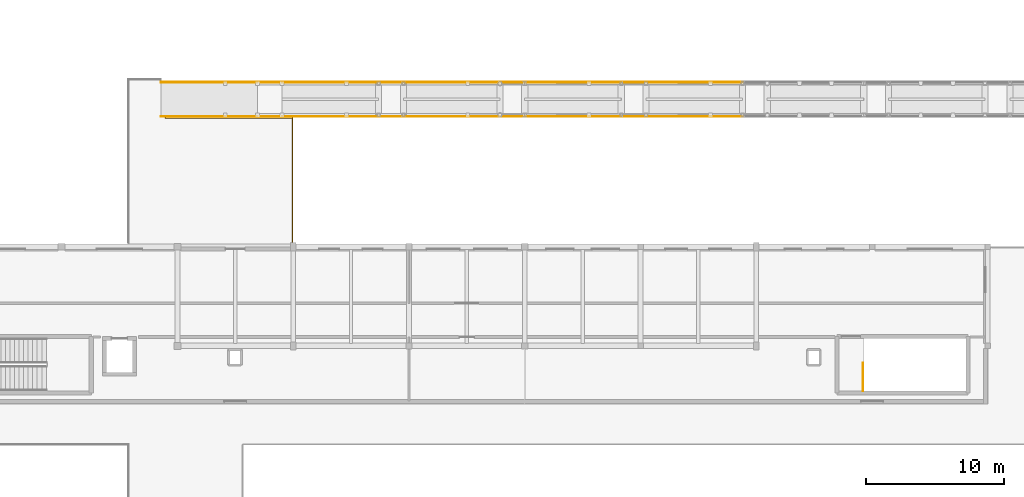
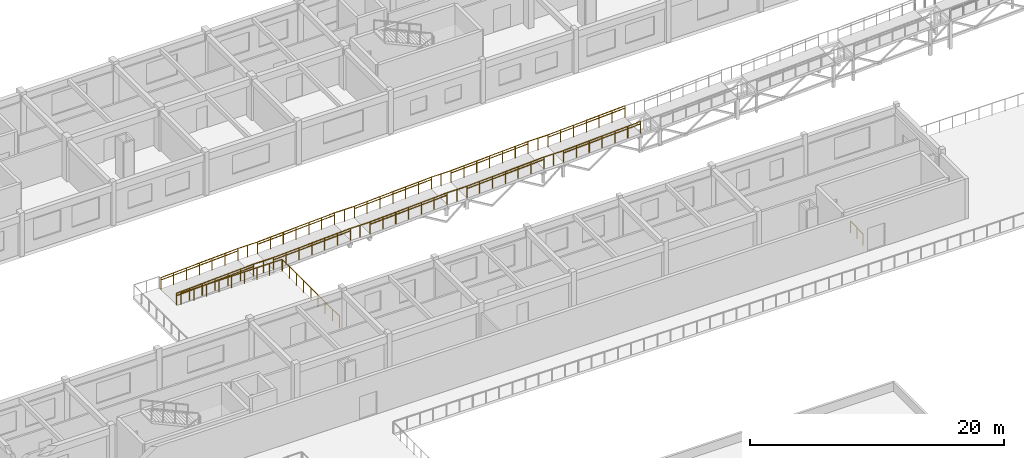
# One storey, part 36 of 41: 30 railings.
"""IFC4 building model written with IfcOpenShell, lengths in metres."""

import ifcopenshell
import ifcopenshell.guid

model = None  # the IFC model being written
_history = None  # IfcOwnerHistory: only IFC2X3 demands one
_inside = {}  # id of a spatial element -> (the spatial element, [elements in it])
_under = {}  # id of a project, library or spatial element -> (it, [spatial elements below it])
_declared = {}  # id of a project -> (the project, [libraries it declares])
_typed = {}  # id of a type object -> (the type object, [elements of that type])
_made_of = {}  # id of a material, layer set ... -> (it, [elements and type objects made of it])


def new_model(schema):
    """Start an empty IFC model of exactly this schema.

    Asked for "IFC4X3", IfcOpenShell would pick the latest addendum, in which some entities
    have other attributes; the version numbers below select the first issue.
    IFC2X3 requires an IfcOwnerHistory on every rooted entity: one is made here for all.
    """
    global model, _history
    if schema == "IFC4X3":
        model = ifcopenshell.file(schema_version=(4, 3, 0, 0))
    else:
        model = ifcopenshell.file(schema=schema)
    _inside.clear()
    _under.clear()
    _declared.clear()
    _typed.clear()
    _made_of.clear()
    _history = None
    if model.schema == "IFC2X3":
        org = make("IfcOrganization", Name="unknown")
        user = make(
            "IfcPersonAndOrganization",
            ThePerson=make("IfcPerson", FamilyName="unknown"),
            TheOrganization=org,
        )
        app = make(
            "IfcApplication",
            ApplicationDeveloper=org,
            Version="unknown",
            ApplicationFullName="unknown",
            ApplicationIdentifier="unknown",
        )
        _history = make(
            "IfcOwnerHistory",
            OwningUser=user,
            OwningApplication=app,
            ChangeAction="ADDED",
            CreationDate=0,
        )
    return model


def make(cls, **values):
    """One entity of the class cls with the attributes given. An attribute that is None is left unset."""
    return model.create_entity(
        cls, **{name: value for name, value in values.items() if value is not None}
    )


def rooted(cls, **values):
    """An entity with a GlobalId (a new one), such as an element, a storey or a relation."""
    return make(cls, GlobalId=ifcopenshell.guid.new(), OwnerHistory=_history, **values)


def si_unit(unit_type, name, prefix=None):
    """IfcSIUnit, for example si_unit("LENGTHUNIT", "METRE", prefix="MILLI")."""
    return make("IfcSIUnit", UnitType=unit_type, Prefix=prefix, Name=name)


def assignment(units):
    """IfcUnitAssignment: the units of a project."""
    return None if units is None else make("IfcUnitAssignment", Units=units)


def point(xyz):
    """IfcCartesianPoint."""
    return None if xyz is None else make("IfcCartesianPoint", Coordinates=xyz)


def direction(xyz):
    """IfcDirection."""
    return None if xyz is None else make("IfcDirection", DirectionRatios=xyz)


def frame(location, z_axis=None, x_axis=None):
    """IfcAxis2Placement3D, a coordinate frame: its origin and axes. An axis left out is left unset."""
    return make(
        "IfcAxis2Placement3D",
        Location=point(location),
        Axis=direction(z_axis),
        RefDirection=direction(x_axis),
    )


def frame_2d(location, x_axis=None):
    """IfcAxis2Placement2D, a coordinate frame in the plane: its origin and x axis."""
    return make(
        "IfcAxis2Placement2D", Location=point(location), RefDirection=direction(x_axis)
    )


def origin():
    """The frame at (0, 0, 0) with its axes left unset."""
    return frame((0.0, 0.0, 0.0))


def origin_2d():
    """The frame at (0, 0) in the plane with its x axis left unset."""
    return frame_2d((0.0, 0.0))


def place(relative_to, where):
    """IfcLocalPlacement: puts the frame where relative to a parent placement (None: the world)."""
    return make(
        "IfcLocalPlacement", PlacementRelTo=relative_to, RelativePlacement=where
    )


def context(
    kind, dimensions, precision=None, world=None, true_north=None, identifier=None
):
    """IfcGeometricRepresentationContext, for example the 3D "Model" context."""
    return make(
        "IfcGeometricRepresentationContext",
        ContextIdentifier=identifier,
        ContextType=kind,
        CoordinateSpaceDimension=dimensions,
        Precision=precision,
        WorldCoordinateSystem=world,
        TrueNorth=true_north,
    )


def subcontext(parent, identifier, kind, view, scale=None):
    """IfcGeometricRepresentationSubContext, for example "Body" below "Model"."""
    return make(
        "IfcGeometricRepresentationSubContext",
        ContextIdentifier=identifier,
        ContextType=kind,
        ParentContext=parent,
        TargetScale=scale,
        TargetView=view,
    )


def project(units=None, contexts=None):
    """IfcProject with its units and contexts."""
    return rooted(
        "IfcProject",
        Name="project",
        RepresentationContexts=contexts,
        UnitsInContext=assignment(units),
    )


def spatial(cls, under=None, at=None, **own):
    """A site, building, storey or space (cls), placed at a placement, below another one or the project."""
    s = rooted(cls, ObjectPlacement=at, **own)
    if under is not None:
        _under.setdefault(under.id(), (under, []))[1].append(s)
    return s


def profile(cls, at=None, kind="AREA", **sizes):
    """A parametric profile (cls). Its sizes go by their IFC names, for example OverallWidth=200.0."""
    return make(cls, ProfileType=kind, Position=at, **sizes)


def circle(**sizes):
    """IfcCircleProfileDef."""
    return profile("IfcCircleProfileDef", **sizes)


def extrude(swept, where, along, depth):
    """IfcExtrudedAreaSolid: the profile swept, set in the frame where, extruded along a direction by depth."""
    return make(
        "IfcExtrudedAreaSolid",
        SweptArea=swept,
        Position=where,
        ExtrudedDirection=direction(along),
        Depth=depth,
    )


def shape(context_of_items, identifier, shape_type, items):
    """IfcShapeRepresentation: the items that make up one representation, for example the "Body"."""
    return make(
        "IfcShapeRepresentation",
        ContextOfItems=context_of_items,
        RepresentationIdentifier=identifier,
        RepresentationType=shape_type,
        Items=items,
    )


def material(Name=None, Category=None):
    """IfcMaterial."""
    return make("IfcMaterial", Name=Name, Category=Category)


def layer(
    of_material, thickness, ventilated=None, Name=None, Category=None, Priority=None
):
    """IfcMaterialLayer: one layer of a wall or slab, of a material (None: an air gap)."""
    return make(
        "IfcMaterialLayer",
        Material=of_material,
        LayerThickness=thickness,
        IsVentilated=ventilated,
        Name=Name,
        Category=Category,
        Priority=Priority,
    )


def layer_set(layers, Name=None):
    """IfcMaterialLayerSet."""
    return make("IfcMaterialLayerSet", MaterialLayers=layers, LayerSetName=Name)


def made_of(thing, what):
    """Note that an element or type object is made of a material, layer set ...; save() writes the relation."""
    if what is not None:
        _made_of.setdefault(what.id(), (what, []))[1].append(thing)
    return thing


def type_object(cls, material=None, **own):
    """A type object (cls), such as IfcWallType, which elements share."""
    return made_of(rooted(cls, **own), material)


def element(
    cls,
    number,
    at=None,
    inside=None,
    cuts=None,
    type_object=None,
    material=None,
    context=None,
    identifier="Body",
    shape_type=None,
    held_by="IfcProductDefinitionShape",
    body=None,
    shapes=None,
    **own,
):
    """One element of the class cls, such as IfcWall. Its Tag is "e" and its number.

    at: its placement. inside: the storey or other place that contains it. cuts: it is an
    opening in that element (IfcRelVoidsElement). A single representation is given by context,
    identifier, shape_type and body (its items); several are given by shapes. held_by: the class
    of the entity that holds the representations. save() writes the other relations.
    """
    e = rooted(cls, Tag="e%d" % number, ObjectPlacement=at, **own)
    if body is not None:
        shapes = [shape(context, identifier, shape_type, body)]
    if shapes is not None:
        e.Representation = make(held_by, Representations=shapes)
    if inside is not None:
        _inside.setdefault(inside.id(), (inside, []))[1].append(e)
    if cuts is not None:
        rooted(
            "IfcRelVoidsElement", RelatingBuildingElement=cuts, RelatedOpeningElement=e
        )
    if type_object is not None:
        _typed.setdefault(type_object.id(), (type_object, []))[1].append(e)
    return made_of(e, material)


def aggregate(whole, parts):
    """IfcRelAggregates: a whole, such as a stair, and the parts it consists of."""
    return rooted("IfcRelAggregates", RelatingObject=whole, RelatedObjects=parts)


def save(model, path):
    """Write the relations noted so far, then the file.

    IfcRelAggregates (storeys below a building ...), IfcRelContainedInSpatialStructure (elements
    in a storey), IfcRelDefinesByType, IfcRelAssociatesMaterial and IfcRelDeclares: one each for
    every whole, place, type object, material and project.
    """
    for whole, parts in _under.values():
        aggregate(whole, parts)
    for where, things in _inside.values():
        rooted(
            "IfcRelContainedInSpatialStructure",
            RelatedElements=things,
            RelatingStructure=where,
        )
    for kind, things in _typed.values():
        rooted("IfcRelDefinesByType", RelatedObjects=things, RelatingType=kind)
    for what, things in _made_of.values():
        rooted("IfcRelAssociatesMaterial", RelatedObjects=things, RelatingMaterial=what)
    for by, libraries in _declared.values():
        rooted("IfcRelDeclares", RelatingContext=by, RelatedDefinitions=libraries)
    model.write(path)


model = new_model("IFC4")

# Units and contexts
model_context = context("Model", 3, precision=1e-05, world=origin(), true_north=direction((0.0, 1.0)))
body_context = subcontext(model_context, "Body", "Model", "MODEL_VIEW")
ifc_project = project(units=[si_unit("LENGTHUNIT", "METRE"), si_unit("AREAUNIT", "SQUARE_METRE"), si_unit("VOLUMEUNIT", "CUBIC_METRE"), si_unit("PLANEANGLEUNIT", "RADIAN"), si_unit("MASSUNIT", "GRAM", prefix="KILO")], contexts=[model_context])

# Site, building, storey
site_placement = place(None, origin())
site = spatial("IfcSite", under=ifc_project, at=site_placement, CompositionType="ELEMENT")
building_placement = place(site_placement, origin())
building = spatial("IfcBuilding", under=site, at=building_placement, Name="Malvenik Polytechnic", CompositionType="ELEMENT")
storey_placement = place(building_placement, frame((0.0, 0.0, 17.699951171875)))
storey = spatial("IfcBuildingStorey", under=building, at=storey_placement, Name="L04", CompositionType="ELEMENT", Elevation=17.699951171875)

# Railings
ifc_material_1 = material(Name="Galvanised powder-coated steel and laminated glass guard 1150mm", Category="steel")
ifc_layer_1 = layer(ifc_material_1, 0.070068359375)
ifc_layer_set_1 = layer_set([ifc_layer_1], Name="Galvanised powder-coated steel and laminated glass guard 1150mm")
railing_type_1 = type_object("IfcRailingType", Name="ARC-RL-BAL-1150", PredefinedType="BALUSTRADE", material=ifc_layer_set_1)
for number, where, name in (
    (1, (24.0, 103.06005859375, 0.0), "Ramp Balustrade RB-03 #1S"),
    (2, (24.0, 105.5400390625, 0.0), "Ramp Balustrade RB-03 #1N"),
):
    element("IfcRailing", number, at=place(storey_placement, frame(where)), inside=storey, type_object=railing_type_1, Name=name, PredefinedType="BALUSTRADE", context=body_context, shape_type="SweptSolid", body=[
        extrude(circle(Radius=0.02392578125, at=origin_2d()), frame((0.0, 0.0, 1.1259765625), z_axis=(0.998751643845, 0.0, 0.049951515669), x_axis=(0.0, 1.0, 0.0)), (0.0, 0.0, 1.0), 7.0087890625),
        extrude(circle(Radius=0.02099609375, at=origin_2d()), origin(), (0.0, 0.0, 1.0), 1.101806640625),
        extrude(circle(Radius=0.02099609375, at=origin_2d()), frame((1.166748046875, 0.0, 0.058349609375)), (0.0, 0.0, 1.0), 1.101806640625),
        extrude(circle(Radius=0.02099609375, at=origin_2d()), frame((2.333251953125, 0.0, 0.11669921875)), (0.0, 0.0, 1.0), 1.101806640625),
        extrude(circle(Radius=0.02099609375, at=origin_2d()), frame((3.5, 0.0, 0.175048828125)), (0.0, 0.0, 1.0), 1.101806640625),
        extrude(circle(Radius=0.02099609375, at=origin_2d()), frame((4.666748046875, 0.0, 0.2333984375)), (0.0, 0.0, 1.0), 1.101806640625),
        extrude(circle(Radius=0.02099609375, at=origin_2d()), frame((5.833251953125, 0.0, 0.291748046875)), (0.0, 0.0, 1.0), 1.101806640625),
        extrude(circle(Radius=0.02099609375, at=origin_2d()), frame((7.0, 0.0, 0.35009765625)), (0.0, 0.0, 1.0), 1.101806640625),
    ])
for number, where, name in (
    (3, (31.0, 103.06005859375, 0.35009765625), "Ramp Landing Balustrade RB-03 #1S"),
    (4, (31.0, 105.5400390625, 0.35009765625), "Ramp Landing Balustrade RB-03 #1N"),
):
    element("IfcRailing", number, at=place(storey_placement, frame(where)), inside=storey, type_object=railing_type_1, Name=name, PredefinedType="BALUSTRADE", context=body_context, shape_type="SweptSolid", body=[
        extrude(circle(Radius=0.02392578125, at=origin_2d()), frame((0.0, 0.0, 1.1259765625), z_axis=(1.0, 0.0, 0.0), x_axis=(0.0, 1.0, 0.0)), (0.0, 0.0, 1.0), 1.800048828125),
        extrude(circle(Radius=0.02099609375, at=origin_2d()), origin(), (0.0, 0.0, 1.0), 1.101806640625),
        extrude(circle(Radius=0.02099609375, at=origin_2d()), frame((0.89990234375, 0.0, 0.0)), (0.0, 0.0, 1.0), 1.101806640625),
        extrude(circle(Radius=0.02099609375, at=origin_2d()), frame((1.800048828125, 0.0, 0.0)), (0.0, 0.0, 1.0), 1.101806640625),
    ])
for number, where, name in (
    (5, (32.800048828125, 103.06005859375, 0.35009765625), "Ramp Balustrade RB-03 #2S"),
    (6, (32.800048828125, 105.5400390625, 0.35009765625), "Ramp Balustrade RB-03 #2N"),
):
    element("IfcRailing", number, at=place(storey_placement, frame(where)), inside=storey, type_object=railing_type_1, Name=name, PredefinedType="BALUSTRADE", context=body_context, shape_type="SweptSolid", body=[
        extrude(circle(Radius=0.02392578125, at=origin_2d()), frame((0.0, 0.0, 1.1259765625), z_axis=(0.998753381067, 0.0, 0.049916768801), x_axis=(0.0, 1.0, 0.0)), (0.0, 0.0, 1.0), 7.0087890625),
        extrude(circle(Radius=0.02099609375, at=origin_2d()), origin(), (0.0, 0.0, 1.0), 1.101806640625),
        extrude(circle(Radius=0.02099609375, at=origin_2d()), frame((1.166748046875, 0.0, 0.058349609375)), (0.0, 0.0, 1.0), 1.101806640625),
        extrude(circle(Radius=0.02099609375, at=origin_2d()), frame((2.333251953125, 0.0, 0.11669921875)), (0.0, 0.0, 1.0), 1.101806640625),
        extrude(circle(Radius=0.02099609375, at=origin_2d()), frame((3.5, 0.0, 0.1748046875)), (0.0, 0.0, 1.0), 1.101806640625),
        extrude(circle(Radius=0.02099609375, at=origin_2d()), frame((4.666748046875, 0.0, 0.233154296875)), (0.0, 0.0, 1.0), 1.101806640625),
        extrude(circle(Radius=0.02099609375, at=origin_2d()), frame((5.833251953125, 0.0, 0.29150390625)), (0.0, 0.0, 1.0), 1.101806640625),
        extrude(circle(Radius=0.02099609375, at=origin_2d()), frame((7.0, 0.0, 0.349853515625)), (0.0, 0.0, 1.0), 1.101806640625),
    ])
for number, where, name in (
    (7, (39.800048828125, 103.06005859375, 0.699951171875), "Ramp Landing Balustrade RB-03 #2S"),
    (8, (39.800048828125, 105.5400390625, 0.699951171875), "Ramp Landing Balustrade RB-03 #2N"),
):
    element("IfcRailing", number, at=place(storey_placement, frame(where)), inside=storey, type_object=railing_type_1, Name=name, PredefinedType="BALUSTRADE", context=body_context, shape_type="SweptSolid", body=[
        extrude(circle(Radius=0.02392578125, at=origin_2d()), frame((0.0, 0.0, 1.1259765625), z_axis=(1.0, 0.0, 0.0), x_axis=(0.0, 1.0, 0.0)), (0.0, 0.0, 1.0), 1.800048828125),
        extrude(circle(Radius=0.02099609375, at=origin_2d()), origin(), (0.0, 0.0, 1.0), 1.101806640625),
        extrude(circle(Radius=0.02099609375, at=origin_2d()), frame((0.89990234375, 0.0, 0.0)), (0.0, 0.0, 1.0), 1.101806640625),
        extrude(circle(Radius=0.02099609375, at=origin_2d()), frame((1.800048828125, 0.0, 0.0)), (0.0, 0.0, 1.0), 1.101806640625),
    ])
for number, where, name in (
    (9, (41.60009765625, 103.06005859375, 0.699951171875), "Ramp Balustrade RB-03 #3S"),
    (10, (41.60009765625, 105.5400390625, 0.699951171875), "Ramp Balustrade RB-03 #3N"),
):
    element("IfcRailing", number, at=place(storey_placement, frame(where)), inside=storey, type_object=railing_type_1, Name=name, PredefinedType="BALUSTRADE", context=body_context, shape_type="SweptSolid", body=[
        extrude(circle(Radius=0.02392578125, at=origin_2d()), frame((0.0, 0.0, 1.1259765625), z_axis=(0.998751643845, 0.0, 0.049951515669), x_axis=(0.0, 1.0, 0.0)), (0.0, 0.0, 1.0), 7.0087890625),
        extrude(circle(Radius=0.02099609375, at=origin_2d()), origin(), (0.0, 0.0, 1.0), 1.101806640625),
        extrude(circle(Radius=0.02099609375, at=origin_2d()), frame((1.166748046875, 0.0, 0.058349609375)), (0.0, 0.0, 1.0), 1.101806640625),
        extrude(circle(Radius=0.02099609375, at=origin_2d()), frame((2.333251953125, 0.0, 0.11669921875)), (0.0, 0.0, 1.0), 1.101806640625),
        extrude(circle(Radius=0.02099609375, at=origin_2d()), frame((3.5, 0.0, 0.175048828125)), (0.0, 0.0, 1.0), 1.101806640625),
        extrude(circle(Radius=0.02099609375, at=origin_2d()), frame((4.666748046875, 0.0, 0.2333984375)), (0.0, 0.0, 1.0), 1.101806640625),
        extrude(circle(Radius=0.02099609375, at=origin_2d()), frame((5.833251953125, 0.0, 0.291748046875)), (0.0, 0.0, 1.0), 1.101806640625),
        extrude(circle(Radius=0.02099609375, at=origin_2d()), frame((7.0, 0.0, 0.35009765625)), (0.0, 0.0, 1.0), 1.101806640625),
    ])
for number, where, name in (
    (11, (48.60009765625, 103.06005859375, 1.050048828125), "Ramp Landing Balustrade RB-03 #3S"),
    (12, (48.60009765625, 105.5400390625, 1.050048828125), "Ramp Landing Balustrade RB-03 #3N"),
):
    element("IfcRailing", number, at=place(storey_placement, frame(where)), inside=storey, type_object=railing_type_1, Name=name, PredefinedType="BALUSTRADE", context=body_context, shape_type="SweptSolid", body=[
        extrude(circle(Radius=0.02392578125, at=origin_2d()), frame((0.0, 0.0, 1.1259765625), z_axis=(1.0, 0.0, 0.0), x_axis=(0.0, 1.0, 0.0)), (0.0, 0.0, 1.0), 1.7998046875),
        extrude(circle(Radius=0.02099609375, at=origin_2d()), origin(), (0.0, 0.0, 1.0), 1.101806640625),
        extrude(circle(Radius=0.02099609375, at=origin_2d()), frame((0.89990234375, 0.0, 0.0)), (0.0, 0.0, 1.0), 1.101806640625),
        extrude(circle(Radius=0.02099609375, at=origin_2d()), frame((1.7998046875, 0.0, 0.0)), (0.0, 0.0, 1.0), 1.101806640625),
    ])
for number, where, name in (
    (13, (50.39990234375, 103.06005859375, 1.050048828125), "Ramp Balustrade RB-03 #4S"),
    (14, (50.39990234375, 105.5400390625, 1.050048828125), "Ramp Balustrade RB-03 #4N"),
):
    element("IfcRailing", number, at=place(storey_placement, frame(where)), inside=storey, type_object=railing_type_1, Name=name, PredefinedType="BALUSTRADE", context=body_context, shape_type="SweptSolid", body=[
        extrude(circle(Radius=0.02392578125, at=origin_2d()), frame((0.0, 0.0, 1.1259765625), z_axis=(0.998751643845, 0.0, 0.049951515669), x_axis=(0.0, 1.0, 0.0)), (0.0, 0.0, 1.0), 7.0087890625),
        extrude(circle(Radius=0.02099609375, at=origin_2d()), origin(), (0.0, 0.0, 1.0), 1.101806640625),
        extrude(circle(Radius=0.02099609375, at=origin_2d()), frame((1.166748046875, 0.0, 0.058349609375)), (0.0, 0.0, 1.0), 1.101806640625),
        extrude(circle(Radius=0.02099609375, at=origin_2d()), frame((2.333251953125, 0.0, 0.11669921875)), (0.0, 0.0, 1.0), 1.101806640625),
        extrude(circle(Radius=0.02099609375, at=origin_2d()), frame((3.5, 0.0, 0.175048828125)), (0.0, 0.0, 1.0), 1.101806640625),
        extrude(circle(Radius=0.02099609375, at=origin_2d()), frame((4.666748046875, 0.0, 0.2333984375)), (0.0, 0.0, 1.0), 1.101806640625),
        extrude(circle(Radius=0.02099609375, at=origin_2d()), frame((5.833251953125, 0.0, 0.291748046875)), (0.0, 0.0, 1.0), 1.101806640625),
        extrude(circle(Radius=0.02099609375, at=origin_2d()), frame((7.0, 0.0, 0.35009765625)), (0.0, 0.0, 1.0), 1.101806640625),
    ])
for number, where, name in (
    (15, (57.39990234375, 103.06005859375, 1.400146484375), "Ramp Landing Balustrade RB-03 #4S"),
    (16, (57.39990234375, 105.5400390625, 1.400146484375), "Ramp Landing Balustrade RB-03 #4N"),
):
    element("IfcRailing", number, at=place(storey_placement, frame(where)), inside=storey, type_object=railing_type_1, Name=name, PredefinedType="BALUSTRADE", context=body_context, shape_type="SweptSolid", body=[
        extrude(circle(Radius=0.02392578125, at=origin_2d()), frame((0.0, 0.0, 1.1259765625), z_axis=(1.0, 0.0, 0.0), x_axis=(0.0, 1.0, 0.0)), (0.0, 0.0, 1.0), 1.800048828125),
        extrude(circle(Radius=0.02099609375, at=origin_2d()), origin(), (0.0, 0.0, 1.0), 1.101806640625),
        extrude(circle(Radius=0.02099609375, at=origin_2d()), frame((0.89990234375, 0.0, 0.0)), (0.0, 0.0, 1.0), 1.101806640625),
        extrude(circle(Radius=0.02099609375, at=origin_2d()), frame((1.800048828125, 0.0, 0.0)), (0.0, 0.0, 1.0), 1.101806640625),
    ])
for number, where, name in (
    (17, (59.199951171875, 103.06005859375, 1.400146484375), "Ramp Balustrade RB-03 #5S"),
    (18, (59.199951171875, 105.5400390625, 1.400146484375), "Ramp Balustrade RB-03 #5N"),
):
    element("IfcRailing", number, at=place(storey_placement, frame(where)), inside=storey, type_object=railing_type_1, Name=name, PredefinedType="BALUSTRADE", context=body_context, shape_type="SweptSolid", body=[
        extrude(circle(Radius=0.02392578125, at=origin_2d()), frame((0.0, 0.0, 1.1259765625), z_axis=(0.998753381067, 0.0, 0.049916768801), x_axis=(0.0, 1.0, 0.0)), (0.0, 0.0, 1.0), 7.0087890625),
        extrude(circle(Radius=0.02099609375, at=origin_2d()), origin(), (0.0, 0.0, 1.0), 1.101806640625),
        extrude(circle(Radius=0.02099609375, at=origin_2d()), frame((1.166748046875, 0.0, 0.058349609375)), (0.0, 0.0, 1.0), 1.101806640625),
        extrude(circle(Radius=0.02099609375, at=origin_2d()), frame((2.333251953125, 0.0, 0.11669921875)), (0.0, 0.0, 1.0), 1.101806640625),
        extrude(circle(Radius=0.02099609375, at=origin_2d()), frame((3.5, 0.0, 0.1748046875)), (0.0, 0.0, 1.0), 1.101806640625),
        extrude(circle(Radius=0.02099609375, at=origin_2d()), frame((4.666748046875, 0.0, 0.233154296875)), (0.0, 0.0, 1.0), 1.101806640625),
        extrude(circle(Radius=0.02099609375, at=origin_2d()), frame((5.833251953125, 0.0, 0.29150390625)), (0.0, 0.0, 1.0), 1.101806640625),
        extrude(circle(Radius=0.02099609375, at=origin_2d()), frame((7.0, 0.0, 0.349853515625)), (0.0, 0.0, 1.0), 1.101806640625),
    ])
railing_1_placement = place(storey_placement, frame((24.35009765625, 102.93994140625, 0.0)))
element("IfcRailing", 19, at=railing_1_placement, inside=storey, type_object=railing_type_1, Name="Terrace Perimeter Balustrade L04 #19", PredefinedType="BALUSTRADE", context=body_context, shape_type="SweptSolid", body=[
    extrude(circle(Radius=0.02392578125, at=origin_2d()), frame((0.0, 0.0, 1.1259765625), z_axis=(1.0, 0.0, 0.0), x_axis=(0.0, 1.0, 0.0)), (0.0, 0.0, 1.0), 9.18994140625),
    extrude(circle(Radius=0.02392578125, at=origin_2d()), frame((9.18994140625, 0.0, 1.1259765625), z_axis=(0.0, -1.0, 0.0), x_axis=(1.0, 0.0, 0.0)), (0.0, 0.0, 1.0), 9.02001953125),
    extrude(circle(Radius=0.02099609375, at=origin_2d()), origin(), (0.0, 0.0, 1.0), 1.101806640625),
    extrude(circle(Radius=0.02099609375, at=origin_2d()), frame((1.148681640625, 0.0, 0.0)), (0.0, 0.0, 1.0), 1.101806640625),
    extrude(circle(Radius=0.02099609375, at=origin_2d()), frame((2.29736328125, 0.0, 0.0)), (0.0, 0.0, 1.0), 1.101806640625),
    extrude(circle(Radius=0.02099609375, at=origin_2d()), frame((3.4462890625, 0.0, 0.0)), (0.0, 0.0, 1.0), 1.101806640625),
    extrude(circle(Radius=0.02099609375, at=origin_2d()), frame((4.594970703125, 0.0, 0.0)), (0.0, 0.0, 1.0), 1.101806640625),
    extrude(circle(Radius=0.02099609375, at=origin_2d()), frame((5.74365234375, 0.0, 0.0)), (0.0, 0.0, 1.0), 1.101806640625),
    extrude(circle(Radius=0.02099609375, at=origin_2d()), frame((6.892578125, 0.0, 0.0)), (0.0, 0.0, 1.0), 1.101806640625),
    extrude(circle(Radius=0.02099609375, at=origin_2d()), frame((8.041259765625, 0.0, 0.0)), (0.0, 0.0, 1.0), 1.101806640625),
    extrude(circle(Radius=0.02099609375, at=origin_2d()), frame((9.18994140625, 0.0, 0.0)), (0.0, 0.0, 1.0), 1.101806640625),
    extrude(circle(Radius=0.02099609375, at=origin_2d()), frame((9.18994140625, -1.12744140625, 0.0)), (0.0, 0.0, 1.0), 1.101806640625),
    extrude(circle(Radius=0.02099609375, at=origin_2d()), frame((9.18994140625, -2.2548828125, 0.0)), (0.0, 0.0, 1.0), 1.101806640625),
    extrude(circle(Radius=0.02099609375, at=origin_2d()), frame((9.18994140625, -3.382568359375, 0.0)), (0.0, 0.0, 1.0), 1.101806640625),
    extrude(circle(Radius=0.02099609375, at=origin_2d()), frame((9.18994140625, -4.510009765625, 0.0)), (0.0, 0.0, 1.0), 1.101806640625),
    extrude(circle(Radius=0.02099609375, at=origin_2d()), frame((9.18994140625, -5.637451171875, 0.0)), (0.0, 0.0, 1.0), 1.101806640625),
    extrude(circle(Radius=0.02099609375, at=origin_2d()), frame((9.18994140625, -6.76513671875, 0.0)), (0.0, 0.0, 1.0), 1.101806640625),
    extrude(circle(Radius=0.02099609375, at=origin_2d()), frame((9.18994140625, -7.892578125, 0.0)), (0.0, 0.0, 1.0), 1.101806640625),
    extrude(circle(Radius=0.02099609375, at=origin_2d()), frame((9.18994140625, -9.02001953125, 0.0)), (0.0, 0.0, 1.0), 1.101806640625),
])
ifc_material_2 = material(Name="Brushed stainless steel 1.4301 tubular handrail 50mm", Category="steel")
ifc_layer_2 = layer(ifc_material_2, 0.050048828125)
ifc_layer_set_2 = layer_set([ifc_layer_2], Name="Brushed stainless steel 1.4301 tubular handrail 50mm")
railing_type_2 = type_object("IfcRailingType", Name="ARC-RL-HR-920", PredefinedType="HANDRAIL", material=ifc_layer_set_2)
for number, where, name in (
    (20, (24.0, 103.06005859375, 0.0), "Ramp Handrail RB-03 #1S"),
    (21, (24.0, 105.5400390625, 0.0), "Ramp Handrail RB-03 #1N"),
):
    element("IfcRailing", number, at=place(storey_placement, frame(where)), inside=storey, type_object=railing_type_2, Name=name, PredefinedType="HANDRAIL", context=body_context, shape_type="SweptSolid", body=[
        extrude(circle(Radius=0.02392578125, at=origin_2d()), frame((0.0, 0.0, 0.89599609375), z_axis=(0.998751643845, 0.0, 0.049951515669), x_axis=(0.0, 1.0, 0.0)), (0.0, 0.0, 1.0), 7.0087890625),
        extrude(circle(Radius=0.02099609375, at=origin_2d()), origin(), (0.0, 0.0, 1.0), 0.871826171875),
        extrude(circle(Radius=0.02099609375, at=origin_2d()), frame((1.166748046875, 0.0, 0.058349609375)), (0.0, 0.0, 1.0), 0.871826171875),
        extrude(circle(Radius=0.02099609375, at=origin_2d()), frame((2.333251953125, 0.0, 0.11669921875)), (0.0, 0.0, 1.0), 0.871826171875),
        extrude(circle(Radius=0.02099609375, at=origin_2d()), frame((3.5, 0.0, 0.175048828125)), (0.0, 0.0, 1.0), 0.871826171875),
        extrude(circle(Radius=0.02099609375, at=origin_2d()), frame((4.666748046875, 0.0, 0.2333984375)), (0.0, 0.0, 1.0), 0.871826171875),
        extrude(circle(Radius=0.02099609375, at=origin_2d()), frame((5.833251953125, 0.0, 0.291748046875)), (0.0, 0.0, 1.0), 0.871826171875),
        extrude(circle(Radius=0.02099609375, at=origin_2d()), frame((7.0, 0.0, 0.35009765625)), (0.0, 0.0, 1.0), 0.871826171875),
    ])
for number, where, name in (
    (22, (32.800048828125, 103.06005859375, 0.35009765625), "Ramp Handrail RB-03 #2S"),
    (23, (32.800048828125, 105.5400390625, 0.35009765625), "Ramp Handrail RB-03 #2N"),
):
    element("IfcRailing", number, at=place(storey_placement, frame(where)), inside=storey, type_object=railing_type_2, Name=name, PredefinedType="HANDRAIL", context=body_context, shape_type="SweptSolid", body=[
        extrude(circle(Radius=0.02392578125, at=origin_2d()), frame((0.0, 0.0, 0.89599609375), z_axis=(0.998753381067, 0.0, 0.049916768801), x_axis=(0.0, 1.0, 0.0)), (0.0, 0.0, 1.0), 7.0087890625),
        extrude(circle(Radius=0.02099609375, at=origin_2d()), origin(), (0.0, 0.0, 1.0), 0.871826171875),
        extrude(circle(Radius=0.02099609375, at=origin_2d()), frame((1.166748046875, 0.0, 0.058349609375)), (0.0, 0.0, 1.0), 0.871826171875),
        extrude(circle(Radius=0.02099609375, at=origin_2d()), frame((2.333251953125, 0.0, 0.11669921875)), (0.0, 0.0, 1.0), 0.871826171875),
        extrude(circle(Radius=0.02099609375, at=origin_2d()), frame((3.5, 0.0, 0.1748046875)), (0.0, 0.0, 1.0), 0.871826171875),
        extrude(circle(Radius=0.02099609375, at=origin_2d()), frame((4.666748046875, 0.0, 0.233154296875)), (0.0, 0.0, 1.0), 0.871826171875),
        extrude(circle(Radius=0.02099609375, at=origin_2d()), frame((5.833251953125, 0.0, 0.29150390625)), (0.0, 0.0, 1.0), 0.871826171875),
        extrude(circle(Radius=0.02099609375, at=origin_2d()), frame((7.0, 0.0, 0.349853515625)), (0.0, 0.0, 1.0), 0.871826171875),
    ])
for number, where, name in (
    (24, (41.60009765625, 103.06005859375, 0.699951171875), "Ramp Handrail RB-03 #3S"),
    (25, (41.60009765625, 105.5400390625, 0.699951171875), "Ramp Handrail RB-03 #3N"),
    (26, (50.39990234375, 103.06005859375, 1.050048828125), "Ramp Handrail RB-03 #4S"),
    (27, (50.39990234375, 105.5400390625, 1.050048828125), "Ramp Handrail RB-03 #4N"),
):
    element("IfcRailing", number, at=place(storey_placement, frame(where)), inside=storey, type_object=railing_type_2, Name=name, PredefinedType="HANDRAIL", context=body_context, shape_type="SweptSolid", body=[
        extrude(circle(Radius=0.02392578125, at=origin_2d()), frame((0.0, 0.0, 0.89599609375), z_axis=(0.998751643845, 0.0, 0.049951515669), x_axis=(0.0, 1.0, 0.0)), (0.0, 0.0, 1.0), 7.0087890625),
        extrude(circle(Radius=0.02099609375, at=origin_2d()), origin(), (0.0, 0.0, 1.0), 0.871826171875),
        extrude(circle(Radius=0.02099609375, at=origin_2d()), frame((1.166748046875, 0.0, 0.058349609375)), (0.0, 0.0, 1.0), 0.871826171875),
        extrude(circle(Radius=0.02099609375, at=origin_2d()), frame((2.333251953125, 0.0, 0.11669921875)), (0.0, 0.0, 1.0), 0.871826171875),
        extrude(circle(Radius=0.02099609375, at=origin_2d()), frame((3.5, 0.0, 0.175048828125)), (0.0, 0.0, 1.0), 0.871826171875),
        extrude(circle(Radius=0.02099609375, at=origin_2d()), frame((4.666748046875, 0.0, 0.2333984375)), (0.0, 0.0, 1.0), 0.871826171875),
        extrude(circle(Radius=0.02099609375, at=origin_2d()), frame((5.833251953125, 0.0, 0.291748046875)), (0.0, 0.0, 1.0), 0.871826171875),
        extrude(circle(Radius=0.02099609375, at=origin_2d()), frame((7.0, 0.0, 0.35009765625)), (0.0, 0.0, 1.0), 0.871826171875),
    ])
for number, where, name in (
    (28, (59.199951171875, 103.06005859375, 1.400146484375), "Ramp Handrail RB-03 #5S"),
    (29, (59.199951171875, 105.5400390625, 1.400146484375), "Ramp Handrail RB-03 #5N"),
):
    element("IfcRailing", number, at=place(storey_placement, frame(where)), inside=storey, type_object=railing_type_2, Name=name, PredefinedType="HANDRAIL", context=body_context, shape_type="SweptSolid", body=[
        extrude(circle(Radius=0.02392578125, at=origin_2d()), frame((0.0, 0.0, 0.89599609375), z_axis=(0.998753381067, 0.0, 0.049916768801), x_axis=(0.0, 1.0, 0.0)), (0.0, 0.0, 1.0), 7.0087890625),
        extrude(circle(Radius=0.02099609375, at=origin_2d()), origin(), (0.0, 0.0, 1.0), 0.871826171875),
        extrude(circle(Radius=0.02099609375, at=origin_2d()), frame((1.166748046875, 0.0, 0.058349609375)), (0.0, 0.0, 1.0), 0.871826171875),
        extrude(circle(Radius=0.02099609375, at=origin_2d()), frame((2.333251953125, 0.0, 0.11669921875)), (0.0, 0.0, 1.0), 0.871826171875),
        extrude(circle(Radius=0.02099609375, at=origin_2d()), frame((3.5, 0.0, 0.1748046875)), (0.0, 0.0, 1.0), 0.871826171875),
        extrude(circle(Radius=0.02099609375, at=origin_2d()), frame((4.666748046875, 0.0, 0.233154296875)), (0.0, 0.0, 1.0), 0.871826171875),
        extrude(circle(Radius=0.02099609375, at=origin_2d()), frame((5.833251953125, 0.0, 0.29150390625)), (0.0, 0.0, 1.0), 0.871826171875),
        extrude(circle(Radius=0.02099609375, at=origin_2d()), frame((7.0, 0.0, 0.349853515625)), (0.0, 0.0, 1.0), 0.871826171875),
    ])
ifc_material_3 = material(Name="Painted galvanised steel stair well balustrade 1100mm", Category="steel")
ifc_layer_3 = layer(ifc_material_3, 0.050048828125)
ifc_layer_set_3 = layer_set([ifc_layer_3], Name="Painted galvanised steel stair well balustrade 1100mm")
railing_type_3 = type_object("IfcRailingType", Name="ARC-RL-STGD", PredefinedType="BALUSTRADE", material=ifc_layer_set_3)
railing_2_placement = place(storey_placement, frame((74.949951171875, 83.14990234375, 0.0)))
element("IfcRailing", 30, at=railing_2_placement, inside=storey, type_object=railing_type_3, Name="L04 ST-05 top well guard 1", PredefinedType="BALUSTRADE", context=body_context, shape_type="SweptSolid", body=[
    extrude(circle(Radius=0.02392578125, at=origin_2d()), frame((0.0, 0.0, 1.076171875), z_axis=(0.0, 1.0, 0.0), x_axis=(-1.0, 0.0, 0.0)), (0.0, 0.0, 1.0), 2.0),
    extrude(circle(Radius=0.02099609375, at=origin_2d()), origin(), (0.0, 0.0, 1.0), 1.052001953125),
    extrude(circle(Radius=0.02099609375, at=origin_2d()), frame((0.0, 1.0, 0.0)), (0.0, 0.0, 1.0), 1.052001953125),
    extrude(circle(Radius=0.02099609375, at=origin_2d()), frame((0.0, 2.0, 0.0)), (0.0, 0.0, 1.0), 1.052001953125),
])

save(model, "model.ifc")
